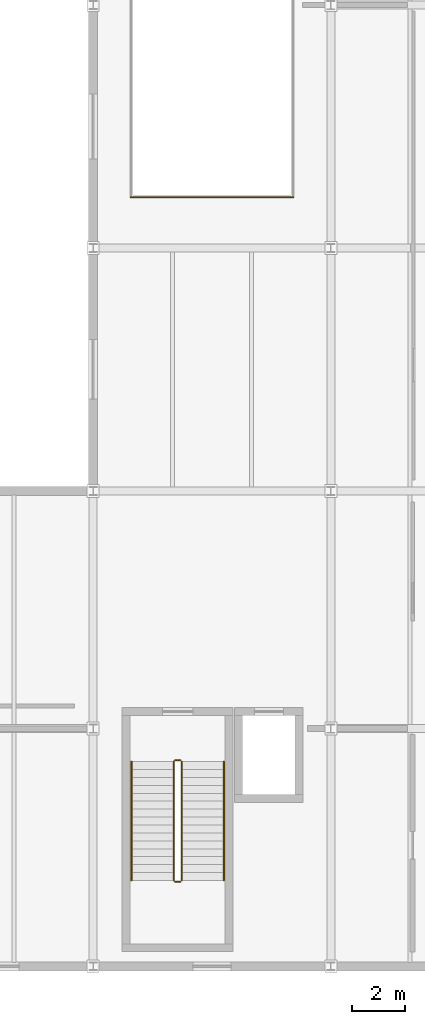
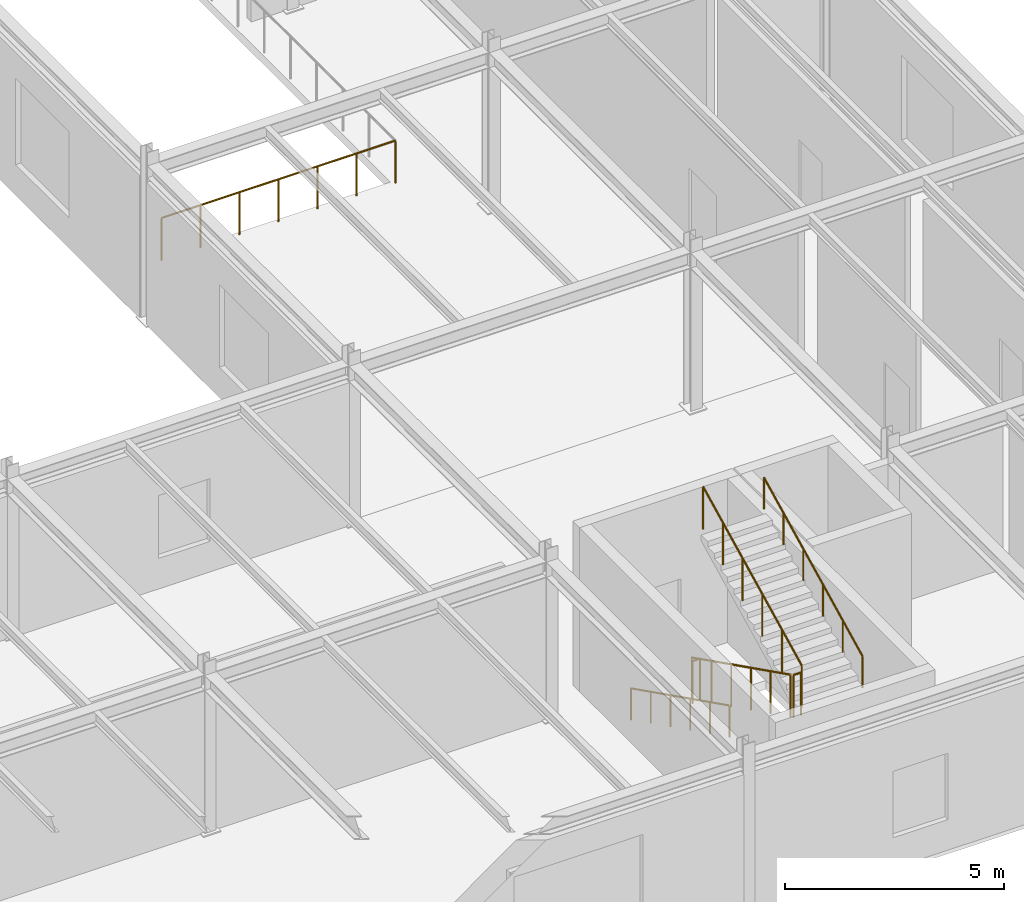
# One storey, part 88 of 90: 7 railings.
"""IFC4 building model written with IfcOpenShell, lengths in metres."""

from ifc_helpers import new_model, si_unit, direction, frame, origin, origin_2d, place, context, subcontext, project, spatial, circle, extrude, material, type_object, element, save


model = new_model("IFC4")

# Units and contexts
model_context = context("Model", 3, precision=1e-05, world=origin(), true_north=direction((0.0, 1.0)))
body_context = subcontext(model_context, "Body", "Model", "MODEL_VIEW")
ifc_project = project(units=[si_unit("LENGTHUNIT", "METRE"), si_unit("AREAUNIT", "SQUARE_METRE"), si_unit("VOLUMEUNIT", "CUBIC_METRE"), si_unit("PLANEANGLEUNIT", "RADIAN"), si_unit("MASSUNIT", "GRAM", prefix="KILO")], contexts=[model_context])

# Site, building, storey
site_placement = place(None, origin())
site = spatial("IfcSite", under=ifc_project, at=site_placement, CompositionType="ELEMENT")
building_placement = place(site_placement, origin())
building = spatial("IfcBuilding", under=site, at=building_placement, Name="Bozkorgan Art Gallery", CompositionType="ELEMENT")
storey_placement = place(building_placement, frame((0.0, 0.0, 5.39990234375)))
storey = spatial("IfcBuildingStorey", under=building, at=storey_placement, Name="L01", CompositionType="ELEMENT", Elevation=5.39990234375)

# Railings
ifc_material = material(Name="Steel S355J2", Category="steel")
railing_type_1 = type_object("IfcRailingType", Name="RAIL-BAL-INT", PredefinedType="BALUSTRADE", material=ifc_material)
railing_1_placement = place(storey_placement, frame((147.419921875, 31.1201171875, 0.0)))
element("IfcRailing", 1, at=railing_1_placement, inside=storey, type_object=railing_type_1, Name="V6 L01 studio_stair_atrium guard S", PredefinedType="BALUSTRADE", context=body_context, shape_type="SweptSolid", body=[
    extrude(circle(Radius=0.02392578125, at=origin_2d()), frame((0.0, 0.0, 1.17578125), z_axis=(1.0, 0.0, 0.0), x_axis=(0.0, 1.0, 0.0)), (0.0, 0.0, 1.0), 6.16015625),
    extrude(circle(Radius=0.02099609375, at=origin_2d()), origin(), (0.0, 0.0, 1.0), 1.15185546875),
    extrude(circle(Radius=0.02099609375, at=origin_2d()), frame((1.026611328125, 0.0, 0.0)), (0.0, 0.0, 1.0), 1.15185546875),
    extrude(circle(Radius=0.02099609375, at=origin_2d()), frame((2.053466796875, 0.0, 0.0)), (0.0, 0.0, 1.0), 1.15185546875),
    extrude(circle(Radius=0.02099609375, at=origin_2d()), frame((3.080078125, 0.0, 0.0)), (0.0, 0.0, 1.0), 1.15185546875),
    extrude(circle(Radius=0.02099609375, at=origin_2d()), frame((4.106689453125, 0.0, 0.0)), (0.0, 0.0, 1.0), 1.15185546875),
    extrude(circle(Radius=0.02099609375, at=origin_2d()), frame((5.133544921875, 0.0, 0.0)), (0.0, 0.0, 1.0), 1.15185546875),
    extrude(circle(Radius=0.02099609375, at=origin_2d()), frame((6.16015625, 0.0, 0.0)), (0.0, 0.0, 1.0), 1.15185546875),
])
railing_type_2 = type_object("IfcRailingType", Name="RAIL-GRD-115", PredefinedType="GUARDRAIL", material=ifc_material)
railing_2_placement = place(storey_placement, frame((149.050048828125, 9.75, 0.150146484375)))
element("IfcRailing", 2, at=railing_2_placement, inside=storey, type_object=railing_type_2, Name="L01 ST4 stair guard 1", PredefinedType="GUARDRAIL", context=body_context, shape_type="SweptSolid", body=[
    extrude(circle(Radius=0.02392578125, at=origin_2d()), frame((0.0, 0.0, 1.17578125), z_axis=(0.0, -0.894427191, 0.4472135955), x_axis=(1.0, 0.0, 0.0)), (0.0, 0.0, 1.0), 5.03125),
    extrude(circle(Radius=0.02099609375, at=origin_2d()), origin(), (0.0, 0.0, 1.0), 1.15185546875),
    extrude(circle(Radius=0.02099609375, at=origin_2d()), frame((0.0, -0.89990234375, 0.449951171875)), (0.0, 0.0, 1.0), 1.15185546875),
    extrude(circle(Radius=0.02099609375, at=origin_2d()), frame((0.0, -1.800048828125, 0.89990234375)), (0.0, 0.0, 1.0), 1.15185546875),
    extrude(circle(Radius=0.02099609375, at=origin_2d()), frame((0.0, -2.699951171875, 1.35009765625)), (0.0, 0.0, 1.0), 1.15185546875),
    extrude(circle(Radius=0.02099609375, at=origin_2d()), frame((0.0, -3.60009765625, 1.800048828125)), (0.0, 0.0, 1.0), 1.15185546875),
    extrude(circle(Radius=0.02099609375, at=origin_2d()), frame((0.0, -4.5, 2.25)), (0.0, 0.0, 1.0), 1.15185546875),
])
railing_3_placement = place(storey_placement, frame((149.10009765625, 5.199951171875, 2.400146484375)))
element("IfcRailing", 3, at=railing_3_placement, inside=storey, type_object=railing_type_2, Name="L01 ST4 stair guard 2", PredefinedType="GUARDRAIL", context=body_context, shape_type="SweptSolid", body=[
    extrude(circle(Radius=0.02392578125, at=origin_2d()), frame((0.0, 0.0, 1.17578125), z_axis=(1.0, 0.0, 0.0), x_axis=(0.0, 1.0, 0.0)), (0.0, 0.0, 1.0), 0.199951171875),
    extrude(circle(Radius=0.02099609375, at=origin_2d()), origin(), (0.0, 0.0, 1.0), 1.15185546875),
    extrude(circle(Radius=0.02099609375, at=origin_2d()), frame((0.199951171875, 0.0, 0.0)), (0.0, 0.0, 1.0), 1.15185546875),
])
railing_4_placement = place(storey_placement, frame((149.35009765625, 5.25, 2.550048828125)))
element("IfcRailing", 4, at=railing_4_placement, inside=storey, type_object=railing_type_2, Name="L01 ST4 stair guard 3", PredefinedType="GUARDRAIL", context=body_context, shape_type="SweptSolid", body=[
    extrude(circle(Radius=0.02392578125, at=origin_2d()), frame((0.0, 0.0, 1.17578125), z_axis=(0.0, 0.894427191, 0.4472135955), x_axis=(-1.0, 0.0, 0.0)), (0.0, 0.0, 1.0), 5.03125),
    extrude(circle(Radius=0.02099609375, at=origin_2d()), origin(), (0.0, 0.0, 1.0), 1.15185546875),
    extrude(circle(Radius=0.02099609375, at=origin_2d()), frame((0.0, 0.89990234375, 0.449951171875)), (0.0, 0.0, 1.0), 1.15185546875),
    extrude(circle(Radius=0.02099609375, at=origin_2d()), frame((0.0, 1.800048828125, 0.89990234375)), (0.0, 0.0, 1.0), 1.15185546875),
    extrude(circle(Radius=0.02099609375, at=origin_2d()), frame((0.0, 2.699951171875, 1.35009765625)), (0.0, 0.0, 1.0), 1.15185546875),
    extrude(circle(Radius=0.02099609375, at=origin_2d()), frame((0.0, 3.60009765625, 1.800048828125)), (0.0, 0.0, 1.0), 1.15185546875),
    extrude(circle(Radius=0.02099609375, at=origin_2d()), frame((0.0, 4.5, 2.25)), (0.0, 0.0, 1.0), 1.15185546875),
])
railing_5_placement = place(storey_placement, frame((149.10009765625, 9.800048828125, 0.0)))
element("IfcRailing", 5, at=railing_5_placement, inside=storey, type_object=railing_type_2, Name="L01 ST4 stair guard 4", PredefinedType="GUARDRAIL", context=body_context, shape_type="SweptSolid", body=[
    extrude(circle(Radius=0.02392578125, at=origin_2d()), frame((0.0, 0.0, 1.17578125), z_axis=(1.0, 0.0, 0.0), x_axis=(0.0, 1.0, 0.0)), (0.0, 0.0, 1.0), 0.199951171875),
    extrude(circle(Radius=0.02099609375, at=origin_2d()), origin(), (0.0, 0.0, 1.0), 1.15185546875),
    extrude(circle(Radius=0.02099609375, at=origin_2d()), frame((0.199951171875, 0.0, 0.0)), (0.0, 0.0, 1.0), 1.15185546875),
])
railing_type_3 = type_object("IfcRailingType", Name="RAIL-HND-092", PredefinedType="HANDRAIL", material=ifc_material)
railing_6_placement = place(storey_placement, frame((147.449951171875, 9.75, 0.150146484375)))
element("IfcRailing", 6, at=railing_6_placement, inside=storey, type_object=railing_type_3, Name="L01 ST4 stair handrail 1", PredefinedType="HANDRAIL", context=body_context, shape_type="SweptSolid", body=[
    extrude(circle(Radius=0.02392578125, at=origin_2d()), frame((0.0, 0.0, 0.8759765625), z_axis=(0.0, -0.894427191, 0.4472135955), x_axis=(1.0, 0.0, 0.0)), (0.0, 0.0, 1.0), 5.03125),
    extrude(circle(Radius=0.02099609375, at=origin_2d()), origin(), (0.0, 0.0, 1.0), 0.851806640625),
    extrude(circle(Radius=0.02099609375, at=origin_2d()), frame((0.0, -0.89990234375, 0.449951171875)), (0.0, 0.0, 1.0), 0.851806640625),
    extrude(circle(Radius=0.02099609375, at=origin_2d()), frame((0.0, -1.800048828125, 0.89990234375)), (0.0, 0.0, 1.0), 0.851806640625),
    extrude(circle(Radius=0.02099609375, at=origin_2d()), frame((0.0, -2.699951171875, 1.35009765625)), (0.0, 0.0, 1.0), 0.851806640625),
    extrude(circle(Radius=0.02099609375, at=origin_2d()), frame((0.0, -3.60009765625, 1.800048828125)), (0.0, 0.0, 1.0), 0.851806640625),
    extrude(circle(Radius=0.02099609375, at=origin_2d()), frame((0.0, -4.5, 2.25)), (0.0, 0.0, 1.0), 0.851806640625),
])
railing_7_placement = place(storey_placement, frame((150.949951171875, 5.25, 2.550048828125)))
element("IfcRailing", 7, at=railing_7_placement, inside=storey, type_object=railing_type_3, Name="L01 ST4 stair handrail 2", PredefinedType="HANDRAIL", context=body_context, shape_type="SweptSolid", body=[
    extrude(circle(Radius=0.02392578125, at=origin_2d()), frame((0.0, 0.0, 0.8759765625), z_axis=(0.0, 0.894427191, 0.4472135955), x_axis=(-1.0, 0.0, 0.0)), (0.0, 0.0, 1.0), 5.03125),
    extrude(circle(Radius=0.02099609375, at=origin_2d()), origin(), (0.0, 0.0, 1.0), 0.851806640625),
    extrude(circle(Radius=0.02099609375, at=origin_2d()), frame((0.0, 0.89990234375, 0.449951171875)), (0.0, 0.0, 1.0), 0.851806640625),
    extrude(circle(Radius=0.02099609375, at=origin_2d()), frame((0.0, 1.800048828125, 0.89990234375)), (0.0, 0.0, 1.0), 0.851806640625),
    extrude(circle(Radius=0.02099609375, at=origin_2d()), frame((0.0, 2.699951171875, 1.35009765625)), (0.0, 0.0, 1.0), 0.851806640625),
    extrude(circle(Radius=0.02099609375, at=origin_2d()), frame((0.0, 3.60009765625, 1.800048828125)), (0.0, 0.0, 1.0), 0.851806640625),
    extrude(circle(Radius=0.02099609375, at=origin_2d()), frame((0.0, 4.5, 2.25)), (0.0, 0.0, 1.0), 0.851806640625),
])

save(model, "model.ifc")
